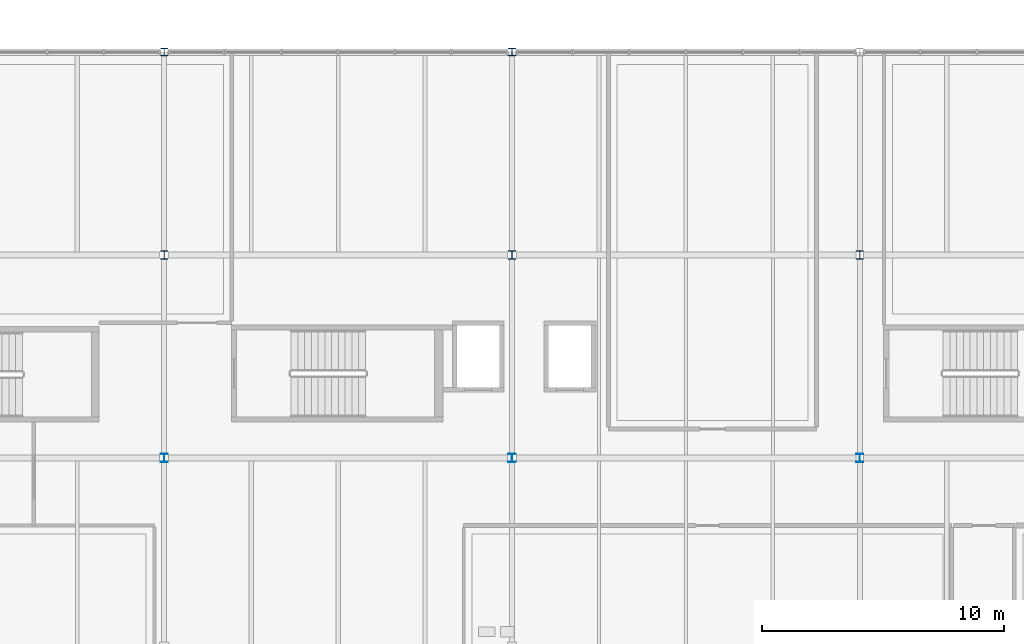
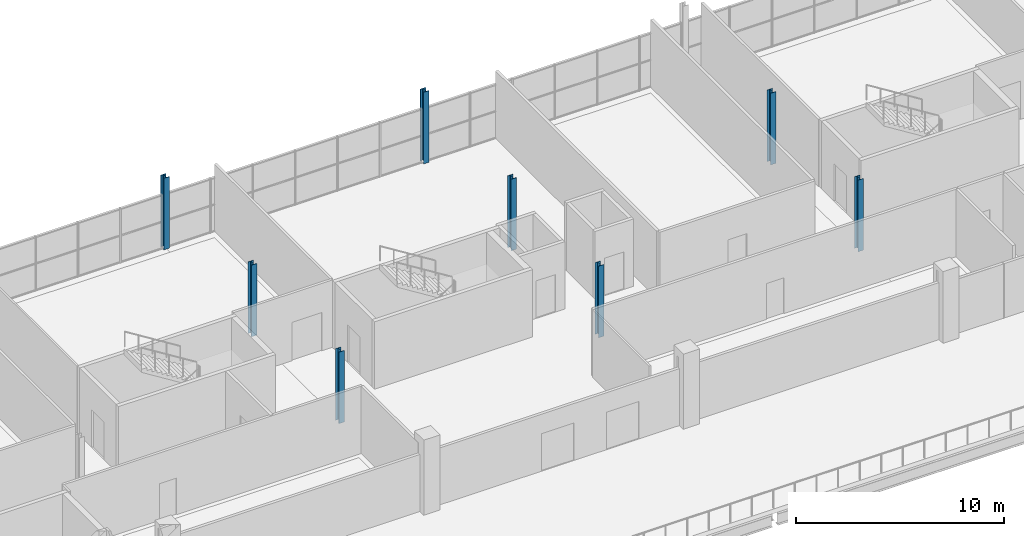
# One storey, part 7 of 93: 8 columns.
"""IFC4 building model written with IfcOpenShell, lengths in metres."""

from ifc_helpers import new_model, si_unit, direction, frame, origin, origin_2d, place, context, subcontext, project, spatial, i_section, extrude, material, material_profile, profile_set, type_object, element, save


model = new_model("IFC4")

# Units and contexts
model_context = context("Model", 3, precision=1e-05, world=origin(), true_north=direction((0.0, 1.0)))
body_context = subcontext(model_context, "Body", "Model", "MODEL_VIEW")
ifc_project = project(units=[si_unit("LENGTHUNIT", "METRE"), si_unit("AREAUNIT", "SQUARE_METRE"), si_unit("VOLUMEUNIT", "CUBIC_METRE"), si_unit("PLANEANGLEUNIT", "RADIAN"), si_unit("MASSUNIT", "GRAM", prefix="KILO"), si_unit("THERMODYNAMICTEMPERATUREUNIT", "KELVIN")], contexts=[model_context])

# Site, building, storey
site_placement = place(None, origin())
site = spatial("IfcSite", under=ifc_project, at=site_placement, CompositionType="ELEMENT")
building_placement = place(site_placement, origin())
building = spatial("IfcBuilding", under=site, at=building_placement, Name="Nduvali Passage Aquatics Centre", CompositionType="ELEMENT")
storey_placement = place(building_placement, frame((0.0, 0.0, 9.0)))
storey = spatial("IfcBuildingStorey", under=building, at=storey_placement, Name="L02", CompositionType="ELEMENT", Elevation=9.0)

# Columns
ifc_material = material(Name="Steel S355", Category="steel")
ifc_material_profile_1 = material_profile(ifc_material, i_section(OverallWidth=0.300048828125, OverallDepth=0.35009765625, WebThickness=0.010009765625, FlangeThickness=0.017578125, FilletRadius=0.027099609375, at=origin_2d()), Name="HEA 360")
ifc_profile_set_1 = profile_set([ifc_material_profile_1], Name="Steel S355")
column_type_1 = type_object("IfcColumnType", Name="STR-COL-HEA360", PredefinedType="COLUMN", material=ifc_profile_set_1)
for number, where, z_axis, x_axis, name in (
    (1, (68.39990234375, 100.800048828125, 0.0), (0.0, 0.0, 1.0), (1.0, 0.0, 0.0), "L02 Column C8A (68.4, 100.8)"),
    (2, (82.800048828125, 100.800048828125, 0.0), (0.0, 0.0, 1.0), (1.0, 0.0, 0.0), "L02 Column C8A (82.8, 100.8)"),
    (3, (97.199951171875, 100.800048828125, 0.0), (0.0, 0.0, 1.0), (1.0, 0.0, 0.0), "L02 Column C8A (97.2, 100.8)"),
):
    element("IfcColumn", number, at=place(storey_placement, frame(where, z_axis=z_axis, x_axis=x_axis)), inside=storey, type_object=column_type_1, Name=name, PredefinedType="COLUMN", context=body_context, shape_type="SweptSolid", body=[
        extrude(i_section(OverallWidth=0.300048828125, OverallDepth=0.35009765625, WebThickness=0.010009765625, FlangeThickness=0.017578125, FilletRadius=0.027099609375, at=origin_2d()), origin(), (0.0, 0.0, 1.0), 4.199951171875),
    ])
ifc_material_profile_2 = material_profile(ifc_material, i_section(OverallWidth=0.300048828125, OverallDepth=0.320068359375, WebThickness=0.011474609375, FlangeThickness=0.0205078125, FilletRadius=0.027099609375, at=origin_2d()), Name="HEB 320")
ifc_profile_set_2 = profile_set([ifc_material_profile_2], Name="Steel S355")
column_type_2 = type_object("IfcColumnType", Name="STR-COL-HEB320-EXT", PredefinedType="COLUMN", material=ifc_profile_set_2)
for number, where, z_axis, x_axis, name in (
    (4, (68.39990234375, 117.60009765625, 0.0), (0.0, 0.0, 1.0), (1.0, 0.0, 0.0), "L02 Column C7CE (68.4, 117.6)"),
    (5, (82.800048828125, 117.60009765625, 0.0), (0.0, 0.0, 1.0), (1.0, 0.0, 0.0), "L02 Column C7CE (82.8, 117.6)"),
):
    element("IfcColumn", number, at=place(storey_placement, frame(where, z_axis=z_axis, x_axis=x_axis)), inside=storey, type_object=column_type_2, Name=name, PredefinedType="COLUMN", context=body_context, shape_type="SweptSolid", body=[
        extrude(i_section(OverallWidth=0.300048828125, OverallDepth=0.320068359375, WebThickness=0.011474609375, FlangeThickness=0.0205078125, FilletRadius=0.027099609375, at=origin_2d()), origin(), (0.0, 0.0, 1.0), 4.199951171875),
    ])
ifc_material_profile_3 = material_profile(ifc_material, i_section(OverallWidth=0.300048828125, OverallDepth=0.340087890625, WebThickness=0.011962890625, FlangeThickness=0.021484375, FilletRadius=0.027099609375, at=origin_2d()), Name="HEB 340")
ifc_profile_set_3 = profile_set([ifc_material_profile_3], Name="Steel S355")
column_type_3 = type_object("IfcColumnType", Name="STR-COL-HEB340", PredefinedType="COLUMN", material=ifc_profile_set_3)
for number, where, z_axis, x_axis, name in (
    (6, (68.39990234375, 109.199951171875, 0.0), (0.0, 0.0, 1.0), (1.0, 0.0, 0.0), "L02 Column C7 (68.4, 109.2)"),
    (7, (82.800048828125, 109.199951171875, 0.0), (0.0, 0.0, 1.0), (1.0, 0.0, 0.0), "L02 Column C7 (82.8, 109.2)"),
    (8, (97.199951171875, 109.199951171875, 0.0), (0.0, 0.0, 1.0), (1.0, 0.0, 0.0), "L02 Column C7 (97.2, 109.2)"),
):
    element("IfcColumn", number, at=place(storey_placement, frame(where, z_axis=z_axis, x_axis=x_axis)), inside=storey, type_object=column_type_3, Name=name, PredefinedType="COLUMN", context=body_context, shape_type="SweptSolid", body=[
        extrude(i_section(OverallWidth=0.300048828125, OverallDepth=0.340087890625, WebThickness=0.011962890625, FlangeThickness=0.021484375, FilletRadius=0.027099609375, at=origin_2d()), origin(), (0.0, 0.0, 1.0), 4.199951171875),
    ])

save(model, "model.ifc")
